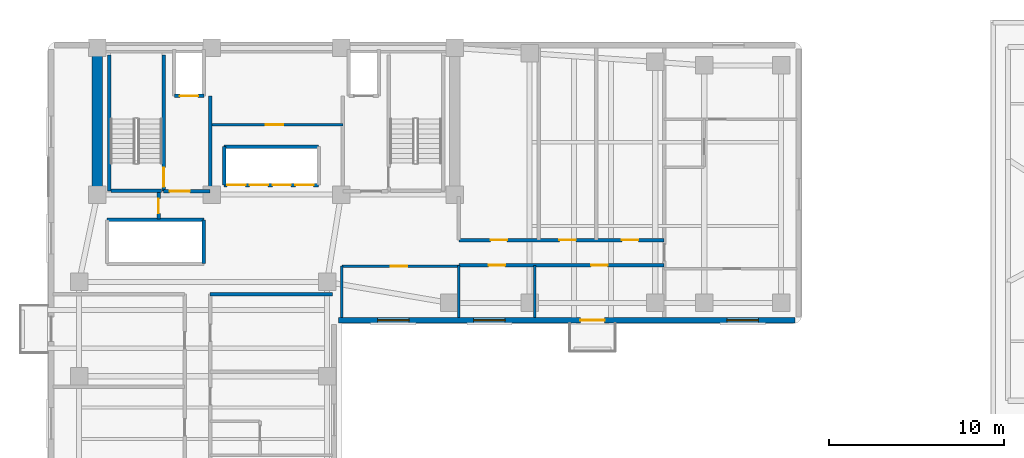
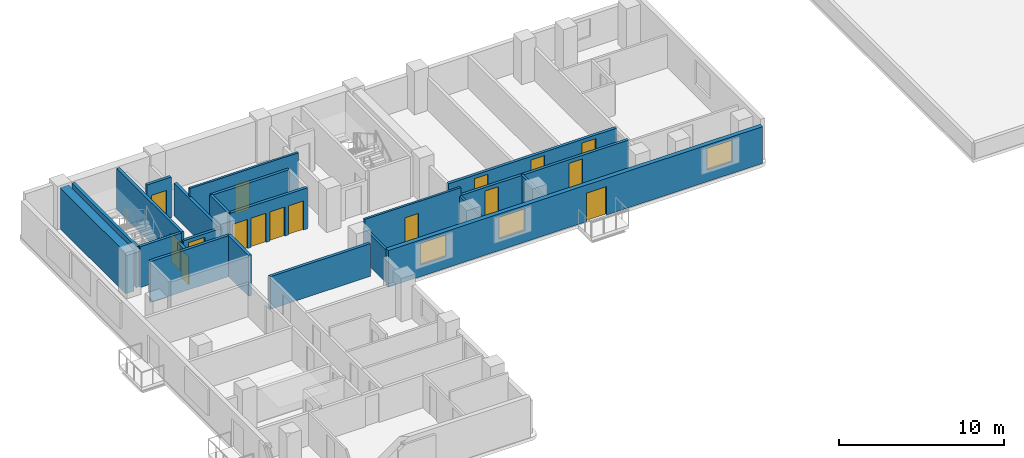
# One storey, part 4 of 8: 22 walls, 16 doors, 3 windows, 19 openings.
"""IFC4 building model written with IfcOpenShell, lengths in metres."""

import ifcopenshell
import ifcopenshell.guid

model = None  # the IFC model being written
_history = None  # IfcOwnerHistory: only IFC2X3 demands one
_inside = {}  # id of a spatial element -> (the spatial element, [elements in it])
_under = {}  # id of a project, library or spatial element -> (it, [spatial elements below it])
_declared = {}  # id of a project -> (the project, [libraries it declares])
_typed = {}  # id of a type object -> (the type object, [elements of that type])
_made_of = {}  # id of a material, layer set ... -> (it, [elements and type objects made of it])


def new_model(schema):
    """Start an empty IFC model of exactly this schema.

    Asked for "IFC4X3", IfcOpenShell would pick the latest addendum, in which some entities
    have other attributes; the version numbers below select the first issue.
    IFC2X3 requires an IfcOwnerHistory on every rooted entity: one is made here for all.
    """
    global model, _history
    if schema == "IFC4X3":
        model = ifcopenshell.file(schema_version=(4, 3, 0, 0))
    else:
        model = ifcopenshell.file(schema=schema)
    _inside.clear()
    _under.clear()
    _declared.clear()
    _typed.clear()
    _made_of.clear()
    _history = None
    if model.schema == "IFC2X3":
        org = make("IfcOrganization", Name="unknown")
        user = make(
            "IfcPersonAndOrganization",
            ThePerson=make("IfcPerson", FamilyName="unknown"),
            TheOrganization=org,
        )
        app = make(
            "IfcApplication",
            ApplicationDeveloper=org,
            Version="unknown",
            ApplicationFullName="unknown",
            ApplicationIdentifier="unknown",
        )
        _history = make(
            "IfcOwnerHistory",
            OwningUser=user,
            OwningApplication=app,
            ChangeAction="ADDED",
            CreationDate=0,
        )
    return model


def make(cls, **values):
    """One entity of the class cls with the attributes given. An attribute that is None is left unset."""
    return model.create_entity(
        cls, **{name: value for name, value in values.items() if value is not None}
    )


def rooted(cls, **values):
    """An entity with a GlobalId (a new one), such as an element, a storey or a relation."""
    return make(cls, GlobalId=ifcopenshell.guid.new(), OwnerHistory=_history, **values)


def si_unit(unit_type, name, prefix=None):
    """IfcSIUnit, for example si_unit("LENGTHUNIT", "METRE", prefix="MILLI")."""
    return make("IfcSIUnit", UnitType=unit_type, Prefix=prefix, Name=name)


def assignment(units):
    """IfcUnitAssignment: the units of a project."""
    return None if units is None else make("IfcUnitAssignment", Units=units)


def point(xyz):
    """IfcCartesianPoint."""
    return None if xyz is None else make("IfcCartesianPoint", Coordinates=xyz)


def direction(xyz):
    """IfcDirection."""
    return None if xyz is None else make("IfcDirection", DirectionRatios=xyz)


def frame(location, z_axis=None, x_axis=None):
    """IfcAxis2Placement3D, a coordinate frame: its origin and axes. An axis left out is left unset."""
    return make(
        "IfcAxis2Placement3D",
        Location=point(location),
        Axis=direction(z_axis),
        RefDirection=direction(x_axis),
    )


def frame_2d(location, x_axis=None):
    """IfcAxis2Placement2D, a coordinate frame in the plane: its origin and x axis."""
    return make(
        "IfcAxis2Placement2D", Location=point(location), RefDirection=direction(x_axis)
    )


def origin():
    """The frame at (0, 0, 0) with its axes left unset."""
    return frame((0.0, 0.0, 0.0))


def place(relative_to, where):
    """IfcLocalPlacement: puts the frame where relative to a parent placement (None: the world)."""
    return make(
        "IfcLocalPlacement", PlacementRelTo=relative_to, RelativePlacement=where
    )


def context(
    kind, dimensions, precision=None, world=None, true_north=None, identifier=None
):
    """IfcGeometricRepresentationContext, for example the 3D "Model" context."""
    return make(
        "IfcGeometricRepresentationContext",
        ContextIdentifier=identifier,
        ContextType=kind,
        CoordinateSpaceDimension=dimensions,
        Precision=precision,
        WorldCoordinateSystem=world,
        TrueNorth=true_north,
    )


def subcontext(parent, identifier, kind, view, scale=None):
    """IfcGeometricRepresentationSubContext, for example "Body" below "Model"."""
    return make(
        "IfcGeometricRepresentationSubContext",
        ContextIdentifier=identifier,
        ContextType=kind,
        ParentContext=parent,
        TargetScale=scale,
        TargetView=view,
    )


def project(units=None, contexts=None):
    """IfcProject with its units and contexts."""
    return rooted(
        "IfcProject",
        Name="project",
        RepresentationContexts=contexts,
        UnitsInContext=assignment(units),
    )


def spatial(cls, under=None, at=None, **own):
    """A site, building, storey or space (cls), placed at a placement, below another one or the project."""
    s = rooted(cls, ObjectPlacement=at, **own)
    if under is not None:
        _under.setdefault(under.id(), (under, []))[1].append(s)
    return s


def profile(cls, at=None, kind="AREA", **sizes):
    """A parametric profile (cls). Its sizes go by their IFC names, for example OverallWidth=200.0."""
    return make(cls, ProfileType=kind, Position=at, **sizes)


def rectangle(**sizes):
    """IfcRectangleProfileDef."""
    return profile("IfcRectangleProfileDef", **sizes)


def extrude(swept, where, along, depth):
    """IfcExtrudedAreaSolid: the profile swept, set in the frame where, extruded along a direction by depth."""
    return make(
        "IfcExtrudedAreaSolid",
        SweptArea=swept,
        Position=where,
        ExtrudedDirection=direction(along),
        Depth=depth,
    )


def shape(context_of_items, identifier, shape_type, items):
    """IfcShapeRepresentation: the items that make up one representation, for example the "Body"."""
    return make(
        "IfcShapeRepresentation",
        ContextOfItems=context_of_items,
        RepresentationIdentifier=identifier,
        RepresentationType=shape_type,
        Items=items,
    )


def material(Name=None, Category=None):
    """IfcMaterial."""
    return make("IfcMaterial", Name=Name, Category=Category)


def layer(
    of_material, thickness, ventilated=None, Name=None, Category=None, Priority=None
):
    """IfcMaterialLayer: one layer of a wall or slab, of a material (None: an air gap)."""
    return make(
        "IfcMaterialLayer",
        Material=of_material,
        LayerThickness=thickness,
        IsVentilated=ventilated,
        Name=Name,
        Category=Category,
        Priority=Priority,
    )


def layer_set(layers, Name=None):
    """IfcMaterialLayerSet."""
    return make("IfcMaterialLayerSet", MaterialLayers=layers, LayerSetName=Name)


def made_of(thing, what):
    """Note that an element or type object is made of a material, layer set ...; save() writes the relation."""
    if what is not None:
        _made_of.setdefault(what.id(), (what, []))[1].append(thing)
    return thing


def type_object(cls, material=None, **own):
    """A type object (cls), such as IfcWallType, which elements share."""
    return made_of(rooted(cls, **own), material)


def element(
    cls,
    number,
    at=None,
    inside=None,
    cuts=None,
    type_object=None,
    material=None,
    context=None,
    identifier="Body",
    shape_type=None,
    held_by="IfcProductDefinitionShape",
    body=None,
    shapes=None,
    **own,
):
    """One element of the class cls, such as IfcWall. Its Tag is "e" and its number.

    at: its placement. inside: the storey or other place that contains it. cuts: it is an
    opening in that element (IfcRelVoidsElement). A single representation is given by context,
    identifier, shape_type and body (its items); several are given by shapes. held_by: the class
    of the entity that holds the representations. save() writes the other relations.
    """
    e = rooted(cls, Tag="e%d" % number, ObjectPlacement=at, **own)
    if body is not None:
        shapes = [shape(context, identifier, shape_type, body)]
    if shapes is not None:
        e.Representation = make(held_by, Representations=shapes)
    if inside is not None:
        _inside.setdefault(inside.id(), (inside, []))[1].append(e)
    if cuts is not None:
        rooted(
            "IfcRelVoidsElement", RelatingBuildingElement=cuts, RelatedOpeningElement=e
        )
    if type_object is not None:
        _typed.setdefault(type_object.id(), (type_object, []))[1].append(e)
    return made_of(e, material)


def fill(opening, filler):
    """IfcRelFillsElement: the door or window that sits in an opening."""
    return rooted(
        "IfcRelFillsElement",
        RelatingOpeningElement=opening,
        RelatedBuildingElement=filler,
    )


def aggregate(whole, parts):
    """IfcRelAggregates: a whole, such as a stair, and the parts it consists of."""
    return rooted("IfcRelAggregates", RelatingObject=whole, RelatedObjects=parts)


def save(model, path):
    """Write the relations noted so far, then the file.

    IfcRelAggregates (storeys below a building ...), IfcRelContainedInSpatialStructure (elements
    in a storey), IfcRelDefinesByType, IfcRelAssociatesMaterial and IfcRelDeclares: one each for
    every whole, place, type object, material and project.
    """
    for whole, parts in _under.values():
        aggregate(whole, parts)
    for where, things in _inside.values():
        rooted(
            "IfcRelContainedInSpatialStructure",
            RelatedElements=things,
            RelatingStructure=where,
        )
    for kind, things in _typed.values():
        rooted("IfcRelDefinesByType", RelatedObjects=things, RelatingType=kind)
    for what, things in _made_of.values():
        rooted("IfcRelAssociatesMaterial", RelatedObjects=things, RelatingMaterial=what)
    for by, libraries in _declared.values():
        rooted("IfcRelDeclares", RelatingContext=by, RelatedDefinitions=libraries)
    model.write(path)


model = new_model("IFC4")

# Units and contexts
model_context = context("Model", 3, precision=1e-05, world=origin(), true_north=direction((0.0, 1.0)))
body_context = subcontext(model_context, "Body", "Model", "MODEL_VIEW")
ifc_project = project(units=[si_unit("LENGTHUNIT", "METRE"), si_unit("AREAUNIT", "SQUARE_METRE"), si_unit("VOLUMEUNIT", "CUBIC_METRE"), si_unit("PLANEANGLEUNIT", "RADIAN"), si_unit("MASSUNIT", "GRAM", prefix="KILO")], contexts=[model_context])

# Site, building, storey
site_placement = place(None, origin())
site = spatial("IfcSite", under=ifc_project, at=site_placement, CompositionType="ELEMENT")
building_placement = place(site_placement, origin())
building = spatial("IfcBuilding", under=site, at=building_placement, Name="Kuzgunbayir Cultural Tower", CompositionType="ELEMENT")
storey_placement = place(building_placement, frame((0.0, 0.0, 107.39990234375)))
storey = spatial("IfcBuildingStorey", under=building, at=storey_placement, Name="L30", CompositionType="ELEMENT", Elevation=107.39990234375)

# Wall
ifc_material_1 = material(Name="Concrete C60/75", Category="concrete")
ifc_layer_1 = layer(ifc_material_1, 0.60009765625)
ifc_layer_set_1 = layer_set([ifc_layer_1], Name="Concrete C60/75")
wall_type_1 = type_object("IfcWallType", Name="WAL-CORE-600", PredefinedType="SHEAR", material=ifc_layer_set_1)
wall_1_placement = place(storey_placement, frame((6.449951171875, 33.800048828125, 0.0), z_axis=(0.0, 0.0, 1.0), x_axis=(0.0, 1.0, 0.0)))
element("IfcWall", 1, at=wall_1_placement, inside=storey, type_object=wall_type_1, Name="L30 T1 Core West Shear Wall", PredefinedType="SHEAR", context=body_context, shape_type="SweptSolid", body=[
    extrude(rectangle(XDim=7.949951171875, YDim=0.60009765625, at=frame_2d((3.97509765625, 0.0))), origin(), (0.0, 0.0, 1.0), 3.02001953125),
])

# Wall, openings, door, windows
ifc_material_2 = material(Name="Anatolian Cream Limestone", Category="masonry")
ifc_layer_2 = layer(ifc_material_2, 0.300048828125)
ifc_layer_set_2 = layer_set([ifc_layer_2], Name="Anatolian Cream Limestone")
wall_type_2 = type_object("IfcWallType", Name="WAL-EXT-STONE-300", PredefinedType="STANDARD", material=ifc_layer_set_2)
wall_2_placement = place(storey_placement, frame((20.25, 26.60009765625, 0.0), z_axis=(0.0, 0.0, 1.0), x_axis=(1.0, 0.0, 0.0)))
wall_2 = element("IfcWall", 2, at=wall_2_placement, inside=storey, type_object=wall_type_2, Name="L30 Wing B South Limestone Wall", PredefinedType="STANDARD", context=body_context, shape_type="SweptSolid", body=[
    extrude(rectangle(XDim=26.14990234375, YDim=0.300048828125, at=frame_2d((13.074951171875, 0.0))), origin(), (0.0, 0.0, 1.0), 2.710205078125),
])
opening_1_placement = place(wall_2_placement, frame((13.85009765625, 0.0, 0.0)))
opening_1 = element("IfcOpeningElement", 3, at=opening_1_placement, cuts=wall_2, Name="Opening BD-15", PredefinedType="OPENING", context=body_context, shape_type="SweptSolid", body=[
    extrude(rectangle(XDim=1.39990234375, YDim=2.10009765625, at=frame_2d((0.699951171875, 1.050048828125))), frame((0.0, 0.16015625, 0.0), z_axis=(0.0, -1.0, 0.0), x_axis=(1.0, 0.0, 0.0)), (0.0, 0.0, 1.0), 0.320068359375),
])
opening_2_placement = place(wall_2_placement, frame((2.25, 0.0, 0.85009765625)))
opening_2 = element("IfcOpeningElement", 4, at=opening_2_placement, cuts=wall_2, Name="Opening WH-18", PredefinedType="OPENING", context=body_context, shape_type="SweptSolid", body=[
    extrude(rectangle(XDim=1.800048828125, YDim=1.610107421875, at=frame_2d((0.89990234375, 0.80517578125))), frame((0.0, 0.16015625, 0.0), z_axis=(0.0, -1.0, 0.0), x_axis=(1.0, 0.0, 0.0)), (0.0, 0.0, 1.0), 0.320068359375),
])
opening_3_placement = place(wall_2_placement, frame((7.75, 0.0, 0.85009765625)))
opening_3 = element("IfcOpeningElement", 5, at=opening_3_placement, cuts=wall_2, Name="Opening WH-18", PredefinedType="OPENING", context=body_context, shape_type="SweptSolid", body=[
    extrude(rectangle(XDim=1.800048828125, YDim=1.610107421875, at=frame_2d((0.89990234375, 0.80517578125))), frame((0.0, 0.16015625, 0.0), z_axis=(0.0, -1.0, 0.0), x_axis=(1.0, 0.0, 0.0)), (0.0, 0.0, 1.0), 0.320068359375),
])
opening_4_placement = place(wall_2_placement, frame((22.25, 0.0, 0.85009765625)))
opening_4 = element("IfcOpeningElement", 6, at=opening_4_placement, cuts=wall_2, Name="Opening WH-18", PredefinedType="OPENING", context=body_context, shape_type="SweptSolid", body=[
    extrude(rectangle(XDim=1.800048828125, YDim=1.610107421875, at=frame_2d((0.89990234375, 0.80517578125))), frame((0.0, 0.16015625, 0.0), z_axis=(0.0, -1.0, 0.0), x_axis=(1.0, 0.0, 0.0)), (0.0, 0.0, 1.0), 0.320068359375),
])
ifc_material_3 = material(Name="Thermally Broken Glazed Aluminium", Category="aluminium")
door_type_1 = type_object("IfcDoorType", Name="DR-BALCONY-150", OperationType="SLIDING_TO_RIGHT", PredefinedType="DOOR", material=ifc_material_3)
door_1_placement = place(opening_1_placement, origin())
door_1 = element("IfcDoor", 7, at=door_1_placement, inside=storey, type_object=door_type_1, Name="L30 South Balcony Sliding Door BAL-L30-WB2", OperationType="SLIDING_TO_RIGHT", OverallHeight=2.10009765625, OverallWidth=1.39990234375, PredefinedType="DOOR", context=body_context, shape_type="SweptSolid", body=[
    extrude(rectangle(XDim=1.39990234375, YDim=2.10009765625, at=frame_2d((0.699951171875, 1.050048828125))), frame((0.0, 0.02490234375, 0.0), z_axis=(0.0, -1.0, 0.0), x_axis=(1.0, 0.0, 0.0)), (0.0, 0.0, 1.0), 0.050048828125),
])
fill(opening_1, door_1)
ifc_material_4 = material(Name="Solar-Control Triple Glazing", Category="glass")
window_type = type_object("IfcWindowType", Name="WIN-HOTEL-18", PartitioningType="SINGLE_PANEL", PredefinedType="WINDOW", material=ifc_material_4)
window_1_placement = place(opening_2_placement, origin())
window_1 = element("IfcWindow", 8, at=window_1_placement, inside=storey, type_object=window_type, Name="L30 WBS Facade Window 10", OverallHeight=1.610107421875, OverallWidth=1.800048828125, PartitioningType="SINGLE_PANEL", PredefinedType="WINDOW", context=body_context, shape_type="SweptSolid", body=[
    extrude(rectangle(XDim=1.800048828125, YDim=1.610107421875, at=frame_2d((0.89990234375, 0.80517578125))), frame((0.0, 0.030029296875, 0.0), z_axis=(0.0, -1.0, 0.0), x_axis=(1.0, 0.0, 0.0)), (0.0, 0.0, 1.0), 0.06005859375),
])
fill(opening_2, window_1)
window_2_placement = place(opening_3_placement, origin())
window_2 = element("IfcWindow", 9, at=window_2_placement, inside=storey, type_object=window_type, Name="L30 WBS Facade Window 11", OverallHeight=1.610107421875, OverallWidth=1.800048828125, PartitioningType="SINGLE_PANEL", PredefinedType="WINDOW", context=body_context, shape_type="SweptSolid", body=[
    extrude(rectangle(XDim=1.800048828125, YDim=1.610107421875, at=frame_2d((0.89990234375, 0.80517578125))), frame((0.0, 0.030029296875, 0.0), z_axis=(0.0, -1.0, 0.0), x_axis=(1.0, 0.0, 0.0)), (0.0, 0.0, 1.0), 0.06005859375),
])
fill(opening_3, window_2)
window_3_placement = place(opening_4_placement, origin())
window_3 = element("IfcWindow", 10, at=window_3_placement, inside=storey, type_object=window_type, Name="L30 WBS Facade Window 12", OverallHeight=1.610107421875, OverallWidth=1.800048828125, PartitioningType="SINGLE_PANEL", PredefinedType="WINDOW", context=body_context, shape_type="SweptSolid", body=[
    extrude(rectangle(XDim=1.800048828125, YDim=1.610107421875, at=frame_2d((0.89990234375, 0.80517578125))), frame((0.0, 0.030029296875, 0.0), z_axis=(0.0, -1.0, 0.0), x_axis=(1.0, 0.0, 0.0)), (0.0, 0.0, 1.0), 0.06005859375),
])
fill(opening_4, window_3)

# Wall, opening, door
ifc_material_5 = material(Name="Acoustic Double-Stud Drywall", Category="gypsum")
ifc_layer_3 = layer(ifc_material_5, 0.14990234375)
ifc_layer_set_3 = layer_set([ifc_layer_3], Name="Acoustic Double-Stud Drywall")
wall_type_3 = type_object("IfcWallType", Name="WAL-PART-ACOUSTIC-150", PredefinedType="PARTITIONING", material=ifc_layer_set_3)
wall_3_placement = place(storey_placement, frame((12.89990234375, 37.800048828125, 0.0), z_axis=(0.0, 0.0, 1.0), x_axis=(1.0, 0.0, 0.0)))
wall_3 = element("IfcWall", 11, at=wall_3_placement, inside=storey, type_object=wall_type_3, Name="L30 Repurposed Core Suite Wall", PredefinedType="PARTITIONING", context=body_context, shape_type="SweptSolid", body=[
    extrude(rectangle(XDim=7.60009765625, YDim=0.14990234375, at=frame_2d((3.800048828125, 0.0))), origin(), (0.0, 0.0, 1.0), 3.02001953125),
])
opening_5_placement = place(wall_3_placement, frame((3.199951171875, 0.0, 0.0)))
opening_5 = element("IfcOpeningElement", 12, at=opening_5_placement, cuts=wall_3, Name="Opening DC-100", PredefinedType="OPENING", context=body_context, shape_type="SweptSolid", body=[
    extrude(rectangle(XDim=1.0, YDim=2.14990234375, at=frame_2d((0.5, 1.074951171875))), frame((0.0, 0.0849609375, 0.0), z_axis=(0.0, -1.0, 0.0), x_axis=(1.0, 0.0, 0.0)), (0.0, 0.0, 1.0), 0.169921875),
])
ifc_material_6 = material(Name="Fire-Rated Veneered Oak Leaf", Category="wood")
door_type_2 = type_object("IfcDoorType", Name="DR-CORE-100", OperationType="NOTDEFINED", PredefinedType="DOOR", material=ifc_material_6)
door_2_placement = place(opening_5_placement, origin())
door_2 = element("IfcDoor", 13, at=door_2_placement, inside=storey, type_object=door_type_2, Name="L30 Core Reading Salon Door", OperationType="SINGLE_SWING_RIGHT", OverallHeight=2.14990234375, OverallWidth=1.0, PredefinedType="DOOR", context=body_context, shape_type="SweptSolid", body=[
    extrude(rectangle(XDim=1.0, YDim=2.14990234375, at=frame_2d((0.5, 1.074951171875))), frame((0.0, 0.02490234375, 0.0), z_axis=(0.0, -1.0, 0.0), x_axis=(1.0, 0.0, 0.0)), (0.0, 0.0, 1.0), 0.050048828125),
])
fill(opening_5, door_2)

wall_4_placement = place(storey_placement, frame((20.449951171875, 29.699951171875, 0.0), z_axis=(0.0, 0.0, 1.0), x_axis=(1.0, 0.0, 0.0)))
wall_4 = element("IfcWall", 14, at=wall_4_placement, inside=storey, type_object=wall_type_3, Name="L30 Waist Alcove North Wall", PredefinedType="PARTITIONING", context=body_context, shape_type="SweptSolid", body=[
    extrude(rectangle(XDim=6.699951171875, YDim=0.14990234375, at=frame_2d((3.35009765625, 0.0))), origin(), (0.0, 0.0, 1.0), 3.02001953125),
])
opening_6_placement = place(wall_4_placement, frame((2.800048828125, 0.0, 0.0)))
opening_6 = element("IfcOpeningElement", 15, at=opening_6_placement, cuts=wall_4, Name="Opening DI-90", PredefinedType="OPENING", context=body_context, shape_type="SweptSolid", body=[
    extrude(rectangle(XDim=0.949951171875, YDim=2.14990234375, at=frame_2d((0.47509765625, 1.074951171875))), frame((0.0, 0.0849609375, 0.0), z_axis=(0.0, -1.0, 0.0), x_axis=(1.0, 0.0, 0.0)), (0.0, 0.0, 1.0), 0.169921875),
])
ifc_material_7 = material(Name="Veneered Oak Single Leaf", Category="wood")
door_type_3 = type_object("IfcDoorType", Name="DR-INT-90", OperationType="NOTDEFINED", PredefinedType="DOOR", material=ifc_material_7)
door_3_placement = place(opening_6_placement, origin())
door_3 = element("IfcDoor", 16, at=door_3_placement, inside=storey, type_object=door_type_3, Name="L30 Waist Alcove Door", OperationType="SINGLE_SWING_LEFT", OverallHeight=2.14990234375, OverallWidth=0.949951171875, PredefinedType="DOOR", context=body_context, shape_type="SweptSolid", body=[
    extrude(rectangle(XDim=0.949951171875, YDim=2.14990234375, at=frame_2d((0.47509765625, 1.074951171875))), frame((0.0, 0.02490234375, 0.0), z_axis=(0.0, -1.0, 0.0), x_axis=(1.0, 0.0, 0.0)), (0.0, 0.0, 1.0), 0.050048828125),
])
fill(opening_6, door_3)

# Walls
wall_5_placement = place(storey_placement, frame((20.449951171875, 26.75, 0.0), z_axis=(0.0, 0.0, 1.0), x_axis=(0.0, 1.0, 0.0)))
element("IfcWall", 17, at=wall_5_placement, inside=storey, type_object=wall_type_3, Name="L30 Waist Alcove West Wall", PredefinedType="PARTITIONING", context=body_context, shape_type="SweptSolid", body=[
    extrude(rectangle(XDim=2.949951171875, YDim=0.14990234375, at=frame_2d((1.47509765625, 0.0))), origin(), (0.0, 0.0, 1.0), 2.41015625),
])
for number, where, z_axis, x_axis, name in (
    (18, (27.14990234375, 26.75, 0.0), (0.0, 0.0, 1.0), (0.0, 1.0, 0.0), "L30 Waist Alcove East Wall"),
    (19, (31.5, 26.75, 0.0), (0.0, 0.0, 1.0), (0.0, 1.0, 0.0), "L30 Wing B South Divider 1"),
):
    element("IfcWall", number, at=place(storey_placement, frame(where, z_axis=z_axis, x_axis=x_axis)), inside=storey, type_object=wall_type_3, Name=name, PredefinedType="PARTITIONING", context=body_context, shape_type="SweptSolid", body=[
        extrude(rectangle(XDim=3.0, YDim=0.14990234375, at=frame_2d((1.5, 0.0))), origin(), (0.0, 0.0, 1.0), 2.41015625),
    ])
ifc_material_8 = material(Name="Aerated Concrete Blockwork", Category="masonry")
ifc_layer_4 = layer(ifc_material_8, 0.199951171875)
ifc_layer_set_4 = layer_set([ifc_layer_4], Name="Aerated Concrete Blockwork")
wall_type_4 = type_object("IfcWallType", Name="WAL-PART-FIRE-200", PredefinedType="PARTITIONING", material=ifc_layer_set_4)
wall_6_placement = place(storey_placement, frame((12.89990234375, 34.0, 0.0), z_axis=(0.0, 0.0, 1.0), x_axis=(0.0, 1.0, 0.0)))
element("IfcWall", 20, at=wall_6_placement, inside=storey, type_object=wall_type_4, Name="L30 FFL-1 Lobby East Fire Wall", PredefinedType="PARTITIONING", context=body_context, shape_type="SweptSolid", body=[
    extrude(rectangle(XDim=5.449951171875, YDim=0.199951171875, at=frame_2d((2.72509765625, 0.0))), origin(), (0.0, 0.0, 1.0), 2.41015625),
])

# Wall, opening, door
wall_7_placement = place(storey_placement, frame((10.239990234375, 34.0, 0.0), z_axis=(0.0, 0.0, 1.0), x_axis=(1.0, 0.0, 0.0)))
wall_7 = element("IfcWall", 21, at=wall_7_placement, inside=storey, type_object=wall_type_4, Name="L30 FFL-1 Lobby South Fire Wall", PredefinedType="PARTITIONING", context=body_context, shape_type="SweptSolid", body=[
    extrude(rectangle(XDim=2.659912109375, YDim=0.199951171875, at=frame_2d((1.330078125, 0.0))), origin(), (0.0, 0.0, 1.0), 2.41015625),
])
opening_7_placement = place(wall_7_placement, frame((0.35009765625, 0.0, 0.0)))
opening_7 = element("IfcOpeningElement", 22, at=opening_7_placement, cuts=wall_7, Name="Opening DR-FFL-90", PredefinedType="OPENING", context=body_context, shape_type="SweptSolid", body=[
    extrude(rectangle(XDim=1.14990234375, YDim=2.14990234375, at=frame_2d((0.574951171875, 1.074951171875))), frame((0.0, 0.10986328125, 0.0), z_axis=(0.0, -1.0, 0.0), x_axis=(1.0, 0.0, 0.0)), (0.0, 0.0, 1.0), 0.219970703125),
])
ifc_material_9 = material(Name="Steel S355J2", Category="steel")
door_type_4 = type_object("IfcDoorType", Name="DR-FFL-90", OperationType="NOTDEFINED", PredefinedType="DOOR", material=ifc_material_9)
door_4_placement = place(opening_7_placement, origin())
door_4 = element("IfcDoor", 23, at=door_4_placement, inside=storey, type_object=door_type_4, Name="L30 Firefighting Lobby 1 Door", OperationType="SINGLE_SWING_LEFT", OverallHeight=2.14990234375, OverallWidth=1.14990234375, PredefinedType="DOOR", context=body_context, shape_type="SweptSolid", body=[
    extrude(rectangle(XDim=1.14990234375, YDim=2.14990234375, at=frame_2d((0.574951171875, 1.074951171875))), frame((0.0, 0.02490234375, 0.0), z_axis=(0.0, -1.0, 0.0), x_axis=(1.0, 0.0, 0.0)), (0.0, 0.0, 1.0), 0.050048828125),
])
fill(opening_7, door_4)

wall_8_placement = place(storey_placement, frame((9.949951171875, 32.39990234375, 0.0), z_axis=(0.0, 0.0, 1.0), x_axis=(0.0, 1.0, 0.0)))
wall_8 = element("IfcWall", 24, at=wall_8_placement, inside=storey, type_object=wall_type_4, Name="L30 West Core Service Closet Wall", PredefinedType="PARTITIONING", context=body_context, shape_type="SweptSolid", body=[
    extrude(rectangle(XDim=1.52001953125, YDim=0.199951171875, at=frame_2d((0.760009765625, 0.0))), origin(), (0.0, 0.0, 1.0), 2.41015625),
])
opening_8_placement = place(wall_8_placement, frame((0.320068359375, 0.0, 0.0)))
opening_8 = element("IfcOpeningElement", 25, at=opening_8_placement, cuts=wall_8, Name="Opening DR-RSR-60", PredefinedType="OPENING", context=body_context, shape_type="SweptSolid", body=[
    extrude(rectangle(XDim=0.85009765625, YDim=2.050048828125, at=frame_2d((0.425048828125, 1.02490234375))), frame((0.0, 0.10986328125, 0.0), z_axis=(0.0, -1.0, 0.0), x_axis=(1.0, 0.0, 0.0)), (0.0, 0.0, 1.0), 0.219970703125),
])
ifc_material_10 = material(Name="Steel Access Leaf", Category="steel")
door_type_5 = type_object("IfcDoorType", Name="DR-RISER-60", OperationType="NOTDEFINED", PredefinedType="DOOR", material=ifc_material_10)
door_5_placement = place(opening_8_placement, origin())
door_5 = element("IfcDoor", 26, at=door_5_placement, inside=storey, type_object=door_type_5, Name="L30 Cleaner Utility Store Door", OperationType="SINGLE_SWING_LEFT", OverallHeight=2.050048828125, OverallWidth=0.85009765625, PredefinedType="DOOR", context=body_context, shape_type="SweptSolid", body=[
    extrude(rectangle(XDim=0.85009765625, YDim=2.050048828125, at=frame_2d((0.425048828125, 1.02490234375))), frame((0.0, 0.02490234375, 0.0), z_axis=(0.0, -1.0, 0.0), x_axis=(1.0, 0.0, 0.0)), (0.0, 0.0, 1.0), 0.050048828125),
])
fill(opening_8, door_5)

# Wall
wall_9_placement = place(storey_placement, frame((12.909912109375, 28.10009765625, 0.0), z_axis=(0.0, 0.0, 1.0), x_axis=(1.0, 0.0, 0.0)))
element("IfcWall", 27, at=wall_9_placement, inside=storey, type_object=wall_type_4, Name="L30 North East Partition", PredefinedType="PARTITIONING", context=body_context, shape_type="SweptSolid", body=[
    extrude(rectangle(XDim=6.989990234375, YDim=0.199951171875, at=frame_2d((3.4951171875, 0.0))), origin(), (0.0, 0.0, 1.0), 2.41015625),
])

# Wall, openings, doors
wall_10_placement = place(storey_placement, frame((27.14990234375, 29.75, 0.0), z_axis=(0.0, 0.0, 1.0), x_axis=(1.0, 0.0, 0.0)))
wall_10 = element("IfcWall", 28, at=wall_10_placement, inside=storey, type_object=wall_type_4, Name="L30 Wing B Hotel Corridor South Wall", PredefinedType="PARTITIONING", context=body_context, shape_type="SweptSolid", body=[
    extrude(rectangle(XDim=11.75, YDim=0.199951171875, at=frame_2d((5.875, 0.0))), origin(), (0.0, 0.0, 1.0), 2.41015625),
])
opening_9_placement = place(wall_10_placement, frame((1.699951171875, 0.0, 0.0)))
opening_9 = element("IfcOpeningElement", 29, at=opening_9_placement, cuts=wall_10, Name="Opening DI-90", PredefinedType="OPENING", context=body_context, shape_type="SweptSolid", body=[
    extrude(rectangle(XDim=0.949951171875, YDim=2.14990234375, at=frame_2d((0.47509765625, 1.074951171875))), frame((0.0, 0.10986328125, 0.0), z_axis=(0.0, -1.0, 0.0), x_axis=(1.0, 0.0, 0.0)), (0.0, 0.0, 1.0), 0.219970703125),
])
opening_10_placement = place(wall_10_placement, frame((7.570068359375, 0.0, 0.0)))
opening_10 = element("IfcOpeningElement", 30, at=opening_10_placement, cuts=wall_10, Name="Opening DI-90", PredefinedType="OPENING", context=body_context, shape_type="SweptSolid", body=[
    extrude(rectangle(XDim=0.949951171875, YDim=2.14990234375, at=frame_2d((0.47509765625, 1.074951171875))), frame((0.0, 0.10986328125, 0.0), z_axis=(0.0, -1.0, 0.0), x_axis=(1.0, 0.0, 0.0)), (0.0, 0.0, 1.0), 0.219970703125),
])
door_6_placement = place(opening_9_placement, origin())
door_6 = element("IfcDoor", 31, at=door_6_placement, inside=storey, type_object=door_type_3, Name="L30 Curatorial Office B1 Door", OperationType="SINGLE_SWING_LEFT", OverallHeight=2.14990234375, OverallWidth=0.949951171875, PredefinedType="DOOR", context=body_context, shape_type="SweptSolid", body=[
    extrude(rectangle(XDim=0.949951171875, YDim=2.14990234375, at=frame_2d((0.47509765625, 1.074951171875))), frame((0.0, 0.02490234375, 0.0), z_axis=(0.0, -1.0, 0.0), x_axis=(1.0, 0.0, 0.0)), (0.0, 0.0, 1.0), 0.050048828125),
])
fill(opening_9, door_6)
door_7_placement = place(opening_10_placement, origin())
door_7 = element("IfcDoor", 32, at=door_7_placement, inside=storey, type_object=door_type_3, Name="L30 Curatorial Office B2 Door", OperationType="SINGLE_SWING_RIGHT", OverallHeight=2.14990234375, OverallWidth=0.949951171875, PredefinedType="DOOR", context=body_context, shape_type="SweptSolid", body=[
    extrude(rectangle(XDim=0.949951171875, YDim=2.14990234375, at=frame_2d((0.47509765625, 1.074951171875))), frame((0.0, 0.02490234375, 0.0), z_axis=(0.0, -1.0, 0.0), x_axis=(1.0, 0.0, 0.0)), (0.0, 0.0, 1.0), 0.050048828125),
])
fill(opening_10, door_7)

wall_11_placement = place(storey_placement, frame((27.14990234375, 31.199951171875, 0.0), z_axis=(0.0, 0.0, 1.0), x_axis=(1.0, 0.0, 0.0)))
wall_11 = element("IfcWall", 33, at=wall_11_placement, inside=storey, type_object=wall_type_4, Name="L30 Wing B Hotel Corridor North Wall", PredefinedType="PARTITIONING", context=body_context, shape_type="SweptSolid", body=[
    extrude(rectangle(XDim=11.75, YDim=0.199951171875, at=frame_2d((5.875, 0.0))), origin(), (0.0, 0.0, 1.0), 2.41015625),
])
opening_11_placement = place(wall_11_placement, frame((1.81005859375, 0.0, 0.0)))
opening_11 = element("IfcOpeningElement", 34, at=opening_11_placement, cuts=wall_11, Name="Opening DI-90", PredefinedType="OPENING", context=body_context, shape_type="SweptSolid", body=[
    extrude(rectangle(XDim=0.949951171875, YDim=2.14990234375, at=frame_2d((0.47509765625, 1.074951171875))), frame((0.0, 0.10986328125, 0.0), z_axis=(0.0, -1.0, 0.0), x_axis=(1.0, 0.0, 0.0)), (0.0, 0.0, 1.0), 0.219970703125),
])
opening_12_placement = place(wall_11_placement, frame((5.75, 0.0, 0.0)))
opening_12 = element("IfcOpeningElement", 35, at=opening_12_placement, cuts=wall_11, Name="Opening DI-90", PredefinedType="OPENING", context=body_context, shape_type="SweptSolid", body=[
    extrude(rectangle(XDim=0.949951171875, YDim=2.14990234375, at=frame_2d((0.47509765625, 1.074951171875))), frame((0.0, 0.10986328125, 0.0), z_axis=(0.0, -1.0, 0.0), x_axis=(1.0, 0.0, 0.0)), (0.0, 0.0, 1.0), 0.219970703125),
])
opening_13_placement = place(wall_11_placement, frame((9.330078125, 0.0, 0.0)))
opening_13 = element("IfcOpeningElement", 36, at=opening_13_placement, cuts=wall_11, Name="Opening DI-90", PredefinedType="OPENING", context=body_context, shape_type="SweptSolid", body=[
    extrude(rectangle(XDim=0.949951171875, YDim=2.14990234375, at=frame_2d((0.47509765625, 1.074951171875))), frame((0.0, 0.10986328125, 0.0), z_axis=(0.0, -1.0, 0.0), x_axis=(1.0, 0.0, 0.0)), (0.0, 0.0, 1.0), 0.219970703125),
])
door_8_placement = place(opening_11_placement, origin())
door_8 = element("IfcDoor", 37, at=door_8_placement, inside=storey, type_object=door_type_3, Name="L30 North Curatorial Office 1 Door", OperationType="SINGLE_SWING_LEFT", OverallHeight=2.14990234375, OverallWidth=0.949951171875, PredefinedType="DOOR", context=body_context, shape_type="SweptSolid", body=[
    extrude(rectangle(XDim=0.949951171875, YDim=2.14990234375, at=frame_2d((0.47509765625, 1.074951171875))), frame((0.0, 0.02490234375, 0.0), z_axis=(0.0, -1.0, 0.0), x_axis=(1.0, 0.0, 0.0)), (0.0, 0.0, 1.0), 0.050048828125),
])
fill(opening_11, door_8)
door_9_placement = place(opening_12_placement, origin())
door_9 = element("IfcDoor", 38, at=door_9_placement, inside=storey, type_object=door_type_3, Name="L30 North Art Publication Salon 2 Door", OperationType="SINGLE_SWING_RIGHT", OverallHeight=2.14990234375, OverallWidth=0.949951171875, PredefinedType="DOOR", context=body_context, shape_type="SweptSolid", body=[
    extrude(rectangle(XDim=0.949951171875, YDim=2.14990234375, at=frame_2d((0.47509765625, 1.074951171875))), frame((0.0, 0.02490234375, 0.0), z_axis=(0.0, -1.0, 0.0), x_axis=(1.0, 0.0, 0.0)), (0.0, 0.0, 1.0), 0.050048828125),
])
fill(opening_12, door_9)
door_10_placement = place(opening_13_placement, origin())
door_10 = element("IfcDoor", 39, at=door_10_placement, inside=storey, type_object=door_type_3, Name="L30 North Culinary Tasting Pantry 3 Door", OperationType="SINGLE_SWING_LEFT", OverallHeight=2.14990234375, OverallWidth=0.949951171875, PredefinedType="DOOR", context=body_context, shape_type="SweptSolid", body=[
    extrude(rectangle(XDim=0.949951171875, YDim=2.14990234375, at=frame_2d((0.47509765625, 1.074951171875))), frame((0.0, 0.02490234375, 0.0), z_axis=(0.0, -1.0, 0.0), x_axis=(1.0, 0.0, 0.0)), (0.0, 0.0, 1.0), 0.050048828125),
])
fill(opening_13, door_10)

# Walls
ifc_material_11 = material(Name="Concrete C40/50", Category="concrete")
ifc_layer_5 = layer(ifc_material_11, 0.199951171875)
ifc_layer_set_5 = layer_set([ifc_layer_5], Name="Concrete C40/50")
wall_type_5 = type_object("IfcWallType", Name="WAL-SHAFT-200", PredefinedType="MOVABLE", material=ifc_layer_set_5)
wall_12_placement = place(storey_placement, frame((7.0, 32.35009765625, 0.0), z_axis=(0.0, 0.0, 1.0), x_axis=(1.0, 0.0, 0.0)))
element("IfcWall", 40, at=wall_12_placement, inside=storey, type_object=wall_type_5, Name="L30 High-Rise Lift Shaft North Wall", PredefinedType="MOVABLE", context=body_context, shape_type="SweptSolid", body=[
    extrude(rectangle(XDim=5.550048828125, YDim=0.199951171875, at=frame_2d((2.77490234375, 0.0))), origin(), (0.0, 0.0, 1.0), 3.02001953125),
])
wall_13_placement = place(storey_placement, frame((12.550048828125, 29.85009765625, 0.0), z_axis=(0.0, 0.0, 1.0), x_axis=(0.0, 1.0, 0.0)))
element("IfcWall", 41, at=wall_13_placement, inside=storey, type_object=wall_type_5, Name="L30 High-Rise Lift Shaft East Wall", PredefinedType="MOVABLE", context=body_context, shape_type="SweptSolid", body=[
    extrude(rectangle(XDim=2.5, YDim=0.199951171875, at=frame_2d((1.25, 0.0))), origin(), (0.0, 0.0, 1.0), 3.02001953125),
])

# Wall, opening, door
wall_14_placement = place(storey_placement, frame((10.85009765625, 39.449951171875, 0.0), z_axis=(0.0, 0.0, 1.0), x_axis=(1.0, 0.0, 0.0)))
wall_14 = element("IfcWall", 42, at=wall_14_placement, inside=storey, type_object=wall_type_5, Name="L30 FFL-1 Lift Front Wall", PredefinedType="MOVABLE", context=body_context, shape_type="SweptSolid", body=[
    extrude(rectangle(XDim=1.699951171875, YDim=0.199951171875, at=frame_2d((0.85009765625, 0.0))), origin(), (0.0, 0.0, 1.0), 3.02001953125),
])
opening_14_placement = place(wall_14_placement, frame((0.320068359375, 0.0, 0.0)))
opening_14 = element("IfcOpeningElement", 43, at=opening_14_placement, cuts=wall_14, Name="Opening LD", PredefinedType="OPENING", context=body_context, shape_type="SweptSolid", body=[
    extrude(rectangle(XDim=1.050048828125, YDim=2.14990234375, at=frame_2d((0.52490234375, 1.074951171875))), frame((0.0, 0.10986328125, 0.0), z_axis=(0.0, -1.0, 0.0), x_axis=(1.0, 0.0, 0.0)), (0.0, 0.0, 1.0), 0.219970703125),
])
ifc_material_12 = material(Name="Brushed Stainless Steel", Category="steel")
door_type_6 = type_object("IfcDoorType", Name="DR-LIFT-LANDING", OperationType="SLIDING_TO_LEFT", PredefinedType="DOOR", material=ifc_material_12)
door_11_placement = place(opening_14_placement, origin())
door_11 = element("IfcDoor", 44, at=door_11_placement, inside=storey, type_object=door_type_6, Name="L30 Lift FFL-1 Landing Door", OperationType="SLIDING_TO_LEFT", OverallHeight=2.14990234375, OverallWidth=1.050048828125, PredefinedType="DOOR", context=body_context, shape_type="SweptSolid", body=[
    extrude(rectangle(XDim=1.050048828125, YDim=2.14990234375, at=frame_2d((0.52490234375, 1.074951171875))), frame((0.0, 0.02490234375, 0.0), z_axis=(0.0, -1.0, 0.0), x_axis=(1.0, 0.0, 0.0)), (0.0, 0.0, 1.0), 0.050048828125),
])
fill(opening_14, door_11)

# Wall, openings, doors
wall_15_placement = place(storey_placement, frame((13.699951171875, 34.35009765625, 0.0), z_axis=(0.0, 0.0, 1.0), x_axis=(1.0, 0.0, 0.0)))
wall_15 = element("IfcWall", 45, at=wall_15_placement, inside=storey, type_object=wall_type_5, Name="L30 Mid-Rise Lift Front Wall", PredefinedType="MOVABLE", context=body_context, shape_type="SweptSolid", body=[
    extrude(rectangle(XDim=5.420166015625, YDim=0.199951171875, at=frame_2d((2.7099609375, 0.0))), origin(), (0.0, 0.0, 1.0), 3.02001953125),
])
opening_15_placement = place(wall_15_placement, frame((0.179931640625, 0.0, 0.0)))
opening_15 = element("IfcOpeningElement", 46, at=opening_15_placement, cuts=wall_15, Name="Opening LD", PredefinedType="OPENING", context=body_context, shape_type="SweptSolid", body=[
    extrude(rectangle(XDim=1.050048828125, YDim=2.14990234375, at=frame_2d((0.52490234375, 1.074951171875))), frame((0.0, 0.10986328125, 0.0), z_axis=(0.0, -1.0, 0.0), x_axis=(1.0, 0.0, 0.0)), (0.0, 0.0, 1.0), 0.219970703125),
])
opening_16_placement = place(wall_15_placement, frame((1.469970703125, 0.0, 0.0)))
opening_16 = element("IfcOpeningElement", 47, at=opening_16_placement, cuts=wall_15, Name="Opening LD", PredefinedType="OPENING", context=body_context, shape_type="SweptSolid", body=[
    extrude(rectangle(XDim=1.050048828125, YDim=2.14990234375, at=frame_2d((0.52490234375, 1.074951171875))), frame((0.0, 0.10986328125, 0.0), z_axis=(0.0, -1.0, 0.0), x_axis=(1.0, 0.0, 0.0)), (0.0, 0.0, 1.0), 0.219970703125),
])
opening_17_placement = place(wall_15_placement, frame((2.780029296875, 0.0, 0.0)))
opening_17 = element("IfcOpeningElement", 48, at=opening_17_placement, cuts=wall_15, Name="Opening LD", PredefinedType="OPENING", context=body_context, shape_type="SweptSolid", body=[
    extrude(rectangle(XDim=1.050048828125, YDim=2.14990234375, at=frame_2d((0.52490234375, 1.074951171875))), frame((0.0, 0.10986328125, 0.0), z_axis=(0.0, -1.0, 0.0), x_axis=(1.0, 0.0, 0.0)), (0.0, 0.0, 1.0), 0.219970703125),
])
opening_18_placement = place(wall_15_placement, frame((4.080078125, 0.0, 0.0)))
opening_18 = element("IfcOpeningElement", 49, at=opening_18_placement, cuts=wall_15, Name="Opening LD", PredefinedType="OPENING", context=body_context, shape_type="SweptSolid", body=[
    extrude(rectangle(XDim=1.050048828125, YDim=2.14990234375, at=frame_2d((0.52490234375, 1.074951171875))), frame((0.0, 0.10986328125, 0.0), z_axis=(0.0, -1.0, 0.0), x_axis=(1.0, 0.0, 0.0)), (0.0, 0.0, 1.0), 0.219970703125),
])
door_12_placement = place(opening_15_placement, origin())
door_12 = element("IfcDoor", 50, at=door_12_placement, inside=storey, type_object=door_type_6, Name="L30 Lift PM-1 Landing Door", OperationType="SLIDING_TO_LEFT", OverallHeight=2.14990234375, OverallWidth=1.050048828125, PredefinedType="DOOR", context=body_context, shape_type="SweptSolid", body=[
    extrude(rectangle(XDim=1.050048828125, YDim=2.14990234375, at=frame_2d((0.52490234375, 1.074951171875))), frame((0.0, 0.02490234375, 0.0), z_axis=(0.0, -1.0, 0.0), x_axis=(1.0, 0.0, 0.0)), (0.0, 0.0, 1.0), 0.050048828125),
])
fill(opening_15, door_12)
door_13_placement = place(opening_16_placement, origin())
door_13 = element("IfcDoor", 51, at=door_13_placement, inside=storey, type_object=door_type_6, Name="L30 Lift PM-2 Landing Door", OperationType="SLIDING_TO_LEFT", OverallHeight=2.14990234375, OverallWidth=1.050048828125, PredefinedType="DOOR", context=body_context, shape_type="SweptSolid", body=[
    extrude(rectangle(XDim=1.050048828125, YDim=2.14990234375, at=frame_2d((0.52490234375, 1.074951171875))), frame((0.0, 0.02490234375, 0.0), z_axis=(0.0, -1.0, 0.0), x_axis=(1.0, 0.0, 0.0)), (0.0, 0.0, 1.0), 0.050048828125),
])
fill(opening_16, door_13)
door_14_placement = place(opening_17_placement, origin())
door_14 = element("IfcDoor", 52, at=door_14_placement, inside=storey, type_object=door_type_6, Name="L30 Lift PM-3 Landing Door", OperationType="SLIDING_TO_LEFT", OverallHeight=2.14990234375, OverallWidth=1.050048828125, PredefinedType="DOOR", context=body_context, shape_type="SweptSolid", body=[
    extrude(rectangle(XDim=1.050048828125, YDim=2.14990234375, at=frame_2d((0.52490234375, 1.074951171875))), frame((0.0, 0.02490234375, 0.0), z_axis=(0.0, -1.0, 0.0), x_axis=(1.0, 0.0, 0.0)), (0.0, 0.0, 1.0), 0.050048828125),
])
fill(opening_17, door_14)
door_15_placement = place(opening_18_placement, origin())
door_15 = element("IfcDoor", 53, at=door_15_placement, inside=storey, type_object=door_type_6, Name="L30 Lift PM-4 Landing Door", OperationType="SLIDING_TO_LEFT", OverallHeight=2.14990234375, OverallWidth=1.050048828125, PredefinedType="DOOR", context=body_context, shape_type="SweptSolid", body=[
    extrude(rectangle(XDim=1.050048828125, YDim=2.14990234375, at=frame_2d((0.52490234375, 1.074951171875))), frame((0.0, 0.02490234375, 0.0), z_axis=(0.0, -1.0, 0.0), x_axis=(1.0, 0.0, 0.0)), (0.0, 0.0, 1.0), 0.050048828125),
])
fill(opening_18, door_15)

# Walls
wall_16_placement = place(storey_placement, frame((13.699951171875, 36.550048828125, 0.0), z_axis=(0.0, 0.0, 1.0), x_axis=(1.0, 0.0, 0.0)))
element("IfcWall", 54, at=wall_16_placement, inside=storey, type_object=wall_type_5, Name="L30 Mid-Rise Lift Shaft North Wall", PredefinedType="MOVABLE", context=body_context, shape_type="SweptSolid", body=[
    extrude(rectangle(XDim=5.420166015625, YDim=0.199951171875, at=frame_2d((2.7099609375, 0.0))), origin(), (0.0, 0.0, 1.0), 3.02001953125),
])
wall_17_placement = place(storey_placement, frame((13.699951171875, 34.35009765625, 0.0), z_axis=(0.0, 0.0, 1.0), x_axis=(0.0, 1.0, 0.0)))
element("IfcWall", 55, at=wall_17_placement, inside=storey, type_object=wall_type_5, Name="L30 Mid-Rise Lift Shaft West Wall", PredefinedType="MOVABLE", context=body_context, shape_type="SweptSolid", body=[
    extrude(rectangle(XDim=2.199951171875, YDim=0.199951171875, at=frame_2d((1.10009765625, 0.0))), origin(), (0.0, 0.0, 1.0), 3.02001953125),
])
ifc_layer_6 = layer(ifc_material_11, 0.199951171875)
ifc_layer_set_6 = layer_set([ifc_layer_6], Name="Concrete C40/50")
wall_type_6 = type_object("IfcWallType", Name="WAL-STAIR-RC-200", PredefinedType="SHEAR", material=ifc_layer_set_6)
wall_18_placement = place(storey_placement, frame((7.1201171875, 34.02001953125, 0.0), z_axis=(0.0, 0.0, 1.0), x_axis=(0.0, 1.0, 0.0)))
element("IfcWall", 56, at=wall_18_placement, inside=storey, type_object=wall_type_6, Name="L30 Stair ST-1 West Structural Wall", PredefinedType="SHEAR", context=body_context, shape_type="SweptSolid", body=[
    extrude(rectangle(XDim=7.780029296875, YDim=0.199951171875, at=frame_2d((3.89013671875, 0.0))), origin(), (0.0, 0.0, 1.0), 3.02001953125),
])

# Wall, opening, door
wall_19_placement = place(storey_placement, frame((10.239990234375, 34.02001953125, 0.0), z_axis=(0.0, 0.0, 1.0), x_axis=(0.0, 1.0, 0.0)))
wall_19 = element("IfcWall", 57, at=wall_19_placement, inside=storey, type_object=wall_type_6, Name="L30 Stair ST-1 East Structural Wall", PredefinedType="SHEAR", context=body_context, shape_type="SweptSolid", body=[
    extrude(rectangle(XDim=7.780029296875, YDim=0.199951171875, at=frame_2d((3.89013671875, 0.0))), origin(), (0.0, 0.0, 1.0), 3.02001953125),
])
opening_19_placement = place(wall_19_placement, frame((0.219970703125, 0.0, 0.0)))
opening_19 = element("IfcOpeningElement", 58, at=opening_19_placement, cuts=wall_19, Name="Opening DR-STAIR-90", PredefinedType="OPENING", context=body_context, shape_type="SweptSolid", body=[
    extrude(rectangle(XDim=1.10009765625, YDim=2.14990234375, at=frame_2d((0.550048828125, 1.074951171875))), frame((0.0, 0.10986328125, 0.0), z_axis=(0.0, -1.0, 0.0), x_axis=(1.0, 0.0, 0.0)), (0.0, 0.0, 1.0), 0.219970703125),
])
door_type_7 = type_object("IfcDoorType", Name="DR-STAIR-90", OperationType="NOTDEFINED", PredefinedType="DOOR", material=ifc_material_9)
door_16_placement = place(opening_19_placement, origin())
door_16 = element("IfcDoor", 59, at=door_16_placement, inside=storey, type_object=door_type_7, Name="L30 Stair ST-1 Fire Door", OperationType="SINGLE_SWING_RIGHT", OverallHeight=2.14990234375, OverallWidth=1.10009765625, PredefinedType="DOOR", context=body_context, shape_type="SweptSolid", body=[
    extrude(rectangle(XDim=1.10009765625, YDim=2.14990234375, at=frame_2d((0.550048828125, 1.074951171875))), frame((0.0, 0.02490234375, 0.0), z_axis=(0.0, -1.0, 0.0), x_axis=(1.0, 0.0, 0.0)), (0.0, 0.0, 1.0), 0.050048828125),
])
fill(opening_19, door_16)

# Wall
wall_20_placement = place(storey_placement, frame((7.239990234375, 34.02001953125, 0.0), z_axis=(0.0, 0.0, 1.0), x_axis=(1.0, 0.0, 0.0)))
element("IfcWall", 60, at=wall_20_placement, inside=storey, type_object=wall_type_6, Name="L30 Stair ST-1 South Structural Wall", PredefinedType="SHEAR", context=body_context, shape_type="SweptSolid", body=[
    extrude(rectangle(XDim=2.880126953125, YDim=0.199951171875, at=frame_2d((1.43994140625, 0.0))), origin(), (0.0, 0.0, 1.0), 3.02001953125),
])

save(model, "model.ifc")
